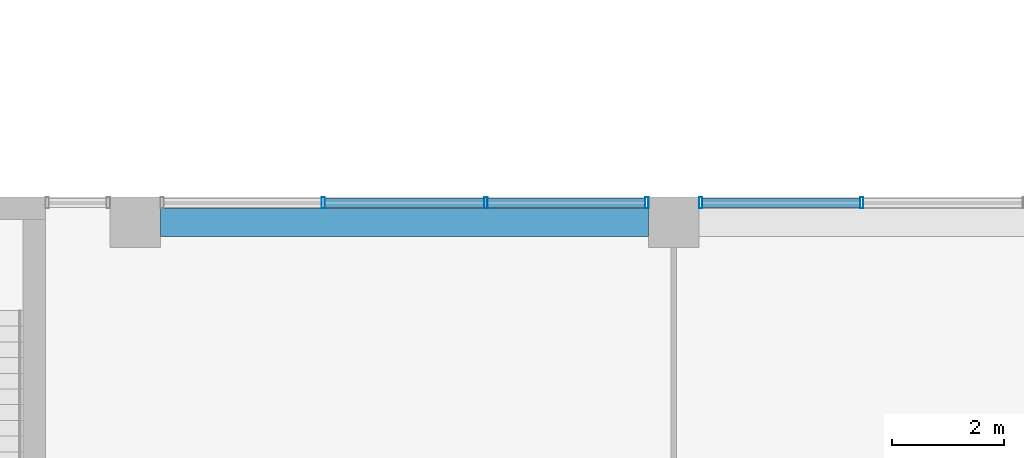
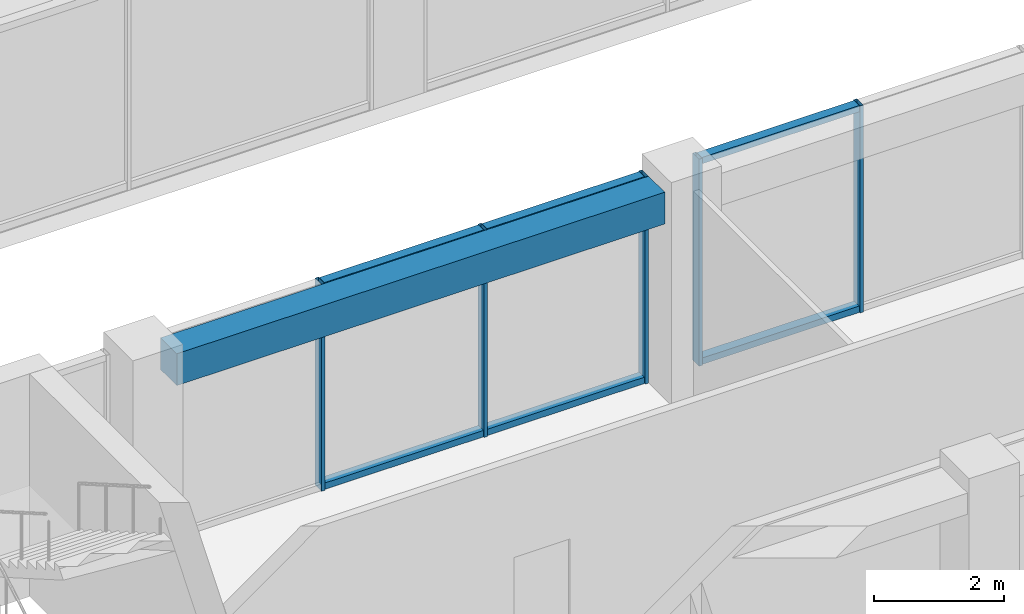
# One storey, part 16 of 36: 11 members, 1 beam, 2 elements without a shape of their own.
"""IFC4 building model written with IfcOpenShell, lengths in metres."""

from ifc_helpers import new_model, si_unit, direction, frame, origin, origin_2d, place, context, subcontext, project, spatial, rectangle, hollow_rectangle, extrude, material, layer, layer_set, material_profile, profile_set, type_object, element, aggregate, save


model = new_model("IFC4")

# Units and contexts
model_context = context("Model", 3, precision=1e-05, world=origin(), true_north=direction((0.0, 1.0)))
body_context = subcontext(model_context, "Body", "Model", "MODEL_VIEW")
ifc_project = project(units=[si_unit("LENGTHUNIT", "METRE"), si_unit("AREAUNIT", "SQUARE_METRE"), si_unit("VOLUMEUNIT", "CUBIC_METRE"), si_unit("PLANEANGLEUNIT", "RADIAN"), si_unit("MASSUNIT", "GRAM", prefix="KILO")], contexts=[model_context])

# Site, building, storey
site_placement = place(None, origin())
site = spatial("IfcSite", under=ifc_project, at=site_placement, CompositionType="ELEMENT")
building_placement = place(site_placement, origin())
building = spatial("IfcBuilding", under=site, at=building_placement, Name="Nzadi Deep Aquarium and Research Tower", CompositionType="ELEMENT")
storey_placement = place(building_placement, frame((0.0, 0.0, 40.300048828125)))
storey = spatial("IfcBuildingStorey", under=building, at=storey_placement, Name="L07", CompositionType="ELEMENT", Elevation=40.300048828125)

# Curtain wall, members
ifc_material_1 = material(Name="Aluminium unitised frame", Category="aluminium")
ifc_layer = layer(ifc_material_1, 0.199951171875)
ifc_layer_set = layer_set([ifc_layer], Name="Aluminium unitised frame")
curtain_wall_type = type_object("IfcCurtainWallType", Name="Curtain wall Unitised 200", PredefinedType="NOTDEFINED", material=ifc_layer_set)
curtain_wall_1_placement = place(storey_placement, origin())
curtain_wall_1 = element("IfcCurtainWall", 1, at=curtain_wall_1_placement, inside=storey, type_object=curtain_wall_type, Name="Unitised curtain wall blade A north L07", PredefinedType="NOTDEFINED")
ifc_material_2 = material(Name="Aluminium unitised frame", Category="aluminium")
ifc_material_profile_1 = material_profile(ifc_material_2, hollow_rectangle(XDim=0.199951171875, YDim=0.06005859375, WallThickness=0.0048828125, at=origin_2d()))
ifc_profile_set_1 = profile_set([ifc_material_profile_1], Name="Aluminium unitised frame")
member_type_1 = type_object("IfcMemberType", Name="Mullion 60x200 Unitised", PredefinedType="MULLION", material=ifc_profile_set_1)
member_1_placement = place(storey_placement, frame((32.14990234375, 18.75, 0.0), z_axis=(0.0, 0.0, 1.0), x_axis=(0.0, 1.0, 0.0)))
member_1 = element("IfcMember", 2, at=member_1_placement, type_object=member_type_1, Name="CW020 mullion 2", PredefinedType="MULLION", context=body_context, shape_type="SweptSolid", body=[
    extrude(hollow_rectangle(XDim=0.199951171875, YDim=0.06005859375, WallThickness=0.0048828125, at=origin_2d()), origin(), (0.0, 0.0, 1.0), 3.89990234375),
])
member_2_placement = place(storey_placement, frame((35.050048828125, 18.75, 0.0), z_axis=(0.0, 0.0, 1.0), x_axis=(0.0, 1.0, 0.0)))
member_2 = element("IfcMember", 3, at=member_2_placement, type_object=member_type_1, Name="CW020 mullion 3", PredefinedType="MULLION", context=body_context, shape_type="SweptSolid", body=[
    extrude(hollow_rectangle(XDim=0.199951171875, YDim=0.06005859375, WallThickness=0.0048828125, at=origin_2d()), origin(), (0.0, 0.0, 1.0), 3.89990234375),
])
member_3_placement = place(storey_placement, frame((37.919921875, 18.75, 0.0), z_axis=(0.0, 0.0, 1.0), x_axis=(0.0, 1.0, 0.0)))
member_3 = element("IfcMember", 4, at=member_3_placement, type_object=member_type_1, Name="CW020 mullion 4", PredefinedType="MULLION", context=body_context, shape_type="SweptSolid", body=[
    extrude(hollow_rectangle(XDim=0.199951171875, YDim=0.06005859375, WallThickness=0.0048828125, at=origin_2d()), origin(), (0.0, 0.0, 1.0), 3.89990234375),
])

curtain_wall_2_placement = place(storey_placement, origin())
curtain_wall_2 = element("IfcCurtainWall", 5, at=curtain_wall_2_placement, inside=storey, type_object=curtain_wall_type, Name="Unitised curtain wall blade A north L07", PredefinedType="NOTDEFINED")
member_4_placement = place(storey_placement, frame((38.8798828125, 18.75, 0.0), z_axis=(0.0, 0.0, 1.0), x_axis=(0.0, 1.0, 0.0)))
member_4 = element("IfcMember", 6, at=member_4_placement, type_object=member_type_1, Name="CW021 mullion 1", PredefinedType="MULLION", context=body_context, shape_type="SweptSolid", body=[
    extrude(hollow_rectangle(XDim=0.199951171875, YDim=0.06005859375, WallThickness=0.0048828125, at=origin_2d()), origin(), (0.0, 0.0, 1.0), 3.89990234375),
])
member_5_placement = place(storey_placement, frame((41.75, 18.75, 0.0), z_axis=(0.0, 0.0, 1.0), x_axis=(0.0, 1.0, 0.0)))
member_5 = element("IfcMember", 7, at=member_5_placement, type_object=member_type_1, Name="CW021 mullion 2", PredefinedType="MULLION", context=body_context, shape_type="SweptSolid", body=[
    extrude(hollow_rectangle(XDim=0.199951171875, YDim=0.06005859375, WallThickness=0.0048828125, at=origin_2d()), origin(), (0.0, 0.0, 1.0), 3.89990234375),
])

# Beam
ifc_material_3 = material(Name="Concrete C35/45", Category="concrete")
ifc_material_profile_2 = material_profile(ifc_material_3, rectangle(XDim=0.5, YDim=0.60009765625, at=origin_2d()))
ifc_profile_set_2 = profile_set([ifc_material_profile_2], Name="Concrete C35/45")
beam_type = type_object("IfcBeamType", Name="RC 500x600", PredefinedType="BEAM", material=ifc_profile_set_2)
beam_placement = place(storey_placement, frame((29.25, 18.39990234375, 3.599853515625), z_axis=(1.0, 0.0, 0.0), x_axis=(0.0, 1.0, 0.0)))
element("IfcBeam", 8, at=beam_placement, inside=storey, type_object=beam_type, Name="B-Z1-L07-L3-4", PredefinedType="BEAM", context=body_context, shape_type="SweptSolid", body=[
    extrude(rectangle(XDim=0.5, YDim=0.60009765625, at=origin_2d()), origin(), (0.0, 0.0, 1.0), 8.699951171875),
])

# Member
ifc_material_4 = material(Name="Aluminium unitised frame", Category="aluminium")
ifc_material_profile_3 = material_profile(ifc_material_4, hollow_rectangle(XDim=0.159912109375, YDim=0.1201171875, WallThickness=0.0048828125, at=origin_2d()))
ifc_profile_set_3 = profile_set([ifc_material_profile_3], Name="Aluminium unitised frame")
member_type_2 = type_object("IfcMemberType", Name="Transom 120x160 Unitised", PredefinedType="MULLION", material=ifc_profile_set_3)
member_6_placement = place(storey_placement, frame((32.179931640625, 18.75, 0.06005859375), z_axis=(1.0, 0.0, 0.0), x_axis=(0.0, 1.0, 0.0)))
member_6 = element("IfcMember", 9, at=member_6_placement, type_object=member_type_2, Name="CW020 transom 2.1", PredefinedType="MULLION", context=body_context, shape_type="SweptSolid", body=[
    extrude(hollow_rectangle(XDim=0.159912109375, YDim=0.1201171875, WallThickness=0.0048828125, at=origin_2d()), origin(), (0.0, 0.0, 1.0), 2.840087890625),
])

member_7_placement = place(storey_placement, frame((32.179931640625, 18.75, 3.83984375), z_axis=(1.0, 0.0, 0.0), x_axis=(0.0, 1.0, 0.0)))
member_7 = element("IfcMember", 10, at=member_7_placement, type_object=member_type_2, Name="CW020 transom 2.2", PredefinedType="MULLION", context=body_context, shape_type="SweptSolid", body=[
    extrude(hollow_rectangle(XDim=0.159912109375, YDim=0.1201171875, WallThickness=0.0048828125, at=origin_2d()), origin(), (0.0, 0.0, 1.0), 2.840087890625),
])

member_8_placement = place(storey_placement, frame((35.080078125, 18.75, 0.06005859375), z_axis=(1.0, 0.0, 0.0), x_axis=(0.0, 1.0, 0.0)))
member_8 = element("IfcMember", 11, at=member_8_placement, type_object=member_type_2, Name="CW020 transom 3.1", PredefinedType="MULLION", context=body_context, shape_type="SweptSolid", body=[
    extrude(hollow_rectangle(XDim=0.159912109375, YDim=0.1201171875, WallThickness=0.0048828125, at=origin_2d()), origin(), (0.0, 0.0, 1.0), 2.809814453125),
])

member_9_placement = place(storey_placement, frame((35.080078125, 18.75, 3.83984375), z_axis=(1.0, 0.0, 0.0), x_axis=(0.0, 1.0, 0.0)))
member_9 = element("IfcMember", 12, at=member_9_placement, type_object=member_type_2, Name="CW020 transom 3.2", PredefinedType="MULLION", context=body_context, shape_type="SweptSolid", body=[
    extrude(hollow_rectangle(XDim=0.159912109375, YDim=0.1201171875, WallThickness=0.0048828125, at=origin_2d()), origin(), (0.0, 0.0, 1.0), 2.809814453125),
])

aggregate(curtain_wall_1, [member_1, member_2, member_3, member_6, member_7, member_8, member_9])

member_10_placement = place(storey_placement, frame((38.909912109375, 18.75, 0.06005859375), z_axis=(1.0, 0.0, 0.0), x_axis=(0.0, 1.0, 0.0)))
member_10 = element("IfcMember", 13, at=member_10_placement, type_object=member_type_2, Name="CW021 transom 1.1", PredefinedType="MULLION", context=body_context, shape_type="SweptSolid", body=[
    extrude(hollow_rectangle(XDim=0.159912109375, YDim=0.1201171875, WallThickness=0.0048828125, at=origin_2d()), origin(), (0.0, 0.0, 1.0), 2.81005859375),
])

member_11_placement = place(storey_placement, frame((38.909912109375, 18.75, 3.83984375), z_axis=(1.0, 0.0, 0.0), x_axis=(0.0, 1.0, 0.0)))
member_11 = element("IfcMember", 14, at=member_11_placement, type_object=member_type_2, Name="CW021 transom 1.2", PredefinedType="MULLION", context=body_context, shape_type="SweptSolid", body=[
    extrude(hollow_rectangle(XDim=0.159912109375, YDim=0.1201171875, WallThickness=0.0048828125, at=origin_2d()), origin(), (0.0, 0.0, 1.0), 2.81005859375),
])

aggregate(curtain_wall_2, [member_4, member_5, member_10, member_11])

save(model, "model.ifc")
